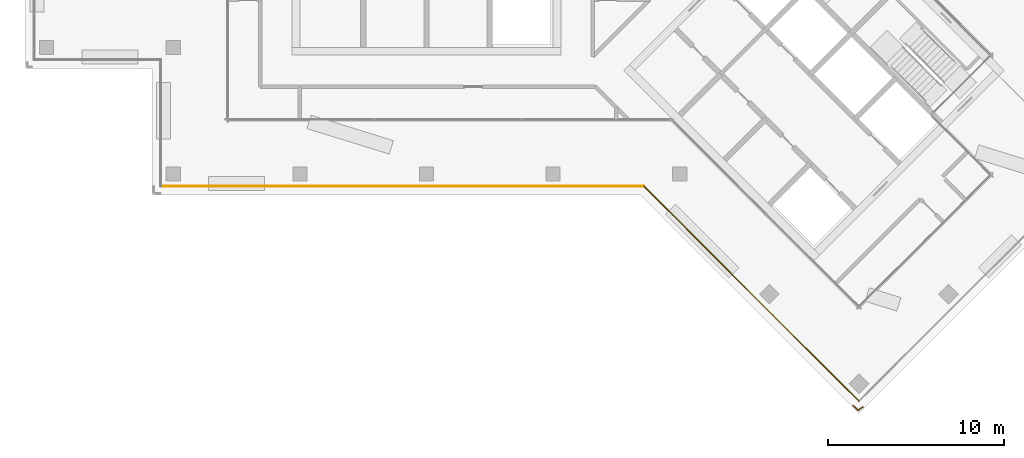
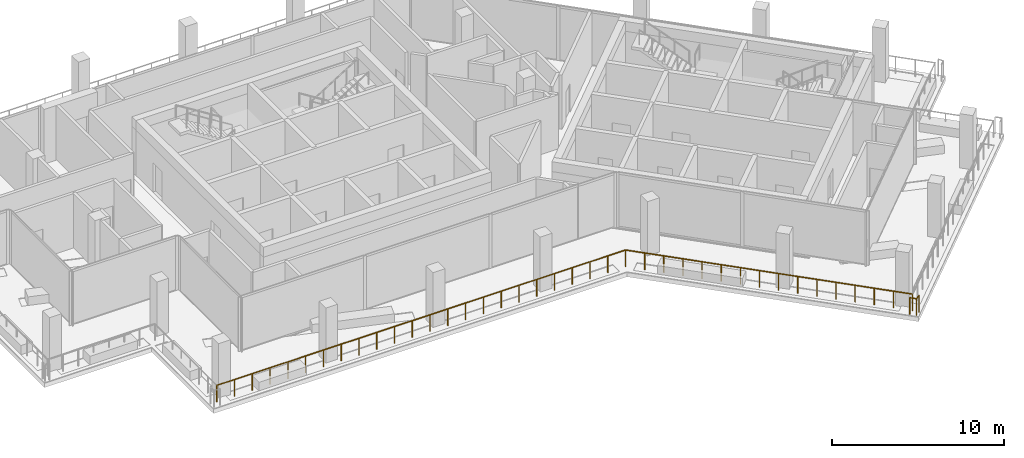
# One storey, part 13 of 20: 4 railings.
"""IFC4 building model written with IfcOpenShell, lengths in metres."""

from ifc_helpers import new_model, si_unit, direction, frame, origin, origin_2d, place, context, subcontext, project, spatial, circle, extrude, material, type_object, element, save


model = new_model("IFC4")

# Units and contexts
model_context = context("Model", 3, precision=1e-05, world=origin(), true_north=direction((0.0, 1.0)))
body_context = subcontext(model_context, "Body", "Model", "MODEL_VIEW")
ifc_project = project(units=[si_unit("LENGTHUNIT", "METRE"), si_unit("AREAUNIT", "SQUARE_METRE"), si_unit("VOLUMEUNIT", "CUBIC_METRE"), si_unit("PLANEANGLEUNIT", "RADIAN"), si_unit("MASSUNIT", "GRAM", prefix="KILO")], contexts=[model_context])

# Site, building, storey
site_placement = place(None, origin())
site = spatial("IfcSite", under=ifc_project, at=site_placement, CompositionType="ELEMENT")
building_placement = place(site_placement, origin())
building = spatial("IfcBuilding", under=site, at=building_placement, Name="Windrow Commons", CompositionType="ELEMENT")
storey_placement = place(building_placement, frame((0.0, 0.0, 239.6)))
storey = spatial("IfcBuildingStorey", under=building, at=storey_placement, Name="L65", CompositionType="ELEMENT", Elevation=239.6)

# Railings
ifc_material = material(Name="Stainless steel S316 balustrade with toughened glass infill", Category="steel")
railing_type = type_object("IfcRailingType", Name="Terrace guard 1200 podium", PredefinedType="BALUSTRADE", material=ifc_material)
railing_1_placement = place(storey_placement, frame((77.163, 42.5, 0.05)))
element("IfcRailing", 1, at=railing_1_placement, inside=storey, type_object=railing_type, Name="Guard TR-L65-1.E1", PredefinedType="BALUSTRADE", context=body_context, shape_type="SweptSolid", body=[
    extrude(circle(Radius=0.025, at=origin_2d()), frame((0.0, 0.0, 1.175), z_axis=(-1.0, 0.0, 0.0), x_axis=(0.0, -1.0, 0.0)), (0.0, 0.0, 1.0), 27.463),
    extrude(circle(Radius=0.02, at=origin_2d()), origin(), (0.0, 0.0, 1.0), 1.15),
    extrude(circle(Radius=0.02, at=origin_2d()), frame((-1.194, 0.0, 0.0)), (0.0, 0.0, 1.0), 1.15),
    extrude(circle(Radius=0.02, at=origin_2d()), frame((-2.3881, 0.0, 0.0)), (0.0, 0.0, 1.0), 1.15),
    extrude(circle(Radius=0.02, at=origin_2d()), frame((-3.5821, 0.0, 0.0)), (0.0, 0.0, 1.0), 1.15),
    extrude(circle(Radius=0.02, at=origin_2d()), frame((-4.7762, 0.0, 0.0)), (0.0, 0.0, 1.0), 1.15),
    extrude(circle(Radius=0.02, at=origin_2d()), frame((-5.9702, 0.0, 0.0)), (0.0, 0.0, 1.0), 1.15),
    extrude(circle(Radius=0.02, at=origin_2d()), frame((-7.1643, 0.0, 0.0)), (0.0, 0.0, 1.0), 1.15),
    extrude(circle(Radius=0.02, at=origin_2d()), frame((-8.3583, 0.0, 0.0)), (0.0, 0.0, 1.0), 1.15),
    extrude(circle(Radius=0.02, at=origin_2d()), frame((-9.5523, 0.0, 0.0)), (0.0, 0.0, 1.0), 1.15),
    extrude(circle(Radius=0.02, at=origin_2d()), frame((-10.7464, 0.0, 0.0)), (0.0, 0.0, 1.0), 1.15),
    extrude(circle(Radius=0.02, at=origin_2d()), frame((-11.9404, 0.0, 0.0)), (0.0, 0.0, 1.0), 1.15),
    extrude(circle(Radius=0.02, at=origin_2d()), frame((-13.1345, 0.0, 0.0)), (0.0, 0.0, 1.0), 1.15),
    extrude(circle(Radius=0.02, at=origin_2d()), frame((-14.3285, 0.0, 0.0)), (0.0, 0.0, 1.0), 1.15),
    extrude(circle(Radius=0.02, at=origin_2d()), frame((-15.5226, 0.0, 0.0)), (0.0, 0.0, 1.0), 1.15),
    extrude(circle(Radius=0.02, at=origin_2d()), frame((-16.7166, 0.0, 0.0)), (0.0, 0.0, 1.0), 1.15),
    extrude(circle(Radius=0.02, at=origin_2d()), frame((-17.9107, 0.0, 0.0)), (0.0, 0.0, 1.0), 1.15),
    extrude(circle(Radius=0.02, at=origin_2d()), frame((-19.1047, 0.0, 0.0)), (0.0, 0.0, 1.0), 1.15),
    extrude(circle(Radius=0.02, at=origin_2d()), frame((-20.2987, 0.0, 0.0)), (0.0, 0.0, 1.0), 1.15),
    extrude(circle(Radius=0.02, at=origin_2d()), frame((-21.4928, 0.0, 0.0)), (0.0, 0.0, 1.0), 1.15),
    extrude(circle(Radius=0.02, at=origin_2d()), frame((-22.6868, 0.0, 0.0)), (0.0, 0.0, 1.0), 1.15),
    extrude(circle(Radius=0.02, at=origin_2d()), frame((-23.8809, 0.0, 0.0)), (0.0, 0.0, 1.0), 1.15),
    extrude(circle(Radius=0.02, at=origin_2d()), frame((-25.0749, 0.0, 0.0)), (0.0, 0.0, 1.0), 1.15),
    extrude(circle(Radius=0.02, at=origin_2d()), frame((-26.269, 0.0, 0.0)), (0.0, 0.0, 1.0), 1.15),
    extrude(circle(Radius=0.02, at=origin_2d()), frame((-27.463, 0.0, 0.0)), (0.0, 0.0, 1.0), 1.15),
])
railing_2_placement = place(storey_placement, frame((89.3823, 30.2807, 0.05)))
element("IfcRailing", 2, at=railing_2_placement, inside=storey, type_object=railing_type, Name="Guard TR-L65-1.E14", PredefinedType="BALUSTRADE", context=body_context, shape_type="SweptSolid", body=[
    extrude(circle(Radius=0.025, at=origin_2d()), frame((0.0, 0.0, 1.175), z_axis=(-0.7071067812, 0.7071067812, 0.0), x_axis=(-0.7071067812, -0.7071067812, 0.0)), (0.0, 0.0, 1.0), 17.2807),
    extrude(circle(Radius=0.02, at=origin_2d()), origin(), (0.0, 0.0, 1.0), 1.15),
    extrude(circle(Radius=0.02, at=origin_2d()), frame((-0.8146, 0.8146, 0.0)), (0.0, 0.0, 1.0), 1.15),
    extrude(circle(Radius=0.02, at=origin_2d()), frame((-1.6292, 1.6292, 0.0)), (0.0, 0.0, 1.0), 1.15),
    extrude(circle(Radius=0.02, at=origin_2d()), frame((-2.4439, 2.4439, 0.0)), (0.0, 0.0, 1.0), 1.15),
    extrude(circle(Radius=0.02, at=origin_2d()), frame((-3.2585, 3.2585, 0.0)), (0.0, 0.0, 1.0), 1.15),
    extrude(circle(Radius=0.02, at=origin_2d()), frame((-4.0731, 4.0731, 0.0)), (0.0, 0.0, 1.0), 1.15),
    extrude(circle(Radius=0.02, at=origin_2d()), frame((-4.8877, 4.8877, 0.0)), (0.0, 0.0, 1.0), 1.15),
    extrude(circle(Radius=0.02, at=origin_2d()), frame((-5.7023, 5.7023, 0.0)), (0.0, 0.0, 1.0), 1.15),
    extrude(circle(Radius=0.02, at=origin_2d()), frame((-6.517, 6.517, 0.0)), (0.0, 0.0, 1.0), 1.15),
    extrude(circle(Radius=0.02, at=origin_2d()), frame((-7.3316, 7.3316, 0.0)), (0.0, 0.0, 1.0), 1.15),
    extrude(circle(Radius=0.02, at=origin_2d()), frame((-8.1462, 8.1462, 0.0)), (0.0, 0.0, 1.0), 1.15),
    extrude(circle(Radius=0.02, at=origin_2d()), frame((-8.9608, 8.9608, 0.0)), (0.0, 0.0, 1.0), 1.15),
    extrude(circle(Radius=0.02, at=origin_2d()), frame((-9.7754, 9.7754, 0.0)), (0.0, 0.0, 1.0), 1.15),
    extrude(circle(Radius=0.02, at=origin_2d()), frame((-10.5901, 10.5901, 0.0)), (0.0, 0.0, 1.0), 1.15),
    extrude(circle(Radius=0.02, at=origin_2d()), frame((-11.4047, 11.4047, 0.0)), (0.0, 0.0, 1.0), 1.15),
    extrude(circle(Radius=0.02, at=origin_2d()), frame((-12.2193, 12.2193, 0.0)), (0.0, 0.0, 1.0), 1.15),
])
railing_3_placement = place(storey_placement, frame((89.6235, 29.9563, 0.05)))
element("IfcRailing", 3, at=railing_3_placement, inside=storey, type_object=railing_type, Name="Guard TR-L65-1.C218", PredefinedType="BALUSTRADE", context=body_context, shape_type="SweptSolid", body=[
    extrude(circle(Radius=0.025, at=origin_2d()), frame((0.0, 0.0, 1.175), z_axis=(-0.8175596819, -0.5758438734, 0.0), x_axis=(0.5758438734, -0.8175596819, 0.0)), (0.0, 0.0, 1.0), 0.3463),
    extrude(circle(Radius=0.02, at=origin_2d()), origin(), (0.0, 0.0, 1.0), 1.15),
    extrude(circle(Radius=0.02, at=origin_2d()), frame((-0.2831, -0.1994, 0.0)), (0.0, 0.0, 1.0), 1.15),
])
railing_4_placement = place(storey_placement, frame((89.3404, 29.7569, 0.05)))
element("IfcRailing", 4, at=railing_4_placement, inside=storey, type_object=railing_type, Name="Guard TR-L65-1.C219", PredefinedType="BALUSTRADE", context=body_context, shape_type="SweptSolid", body=[
    extrude(circle(Radius=0.025, at=origin_2d()), frame((0.0, 0.0, 1.175), z_axis=(-0.7071067812, 0.7071067812, 0.0), x_axis=(-0.7071067812, -0.7071067812, 0.0)), (0.0, 0.0, 1.0), 0.4004),
    extrude(circle(Radius=0.02, at=origin_2d()), origin(), (0.0, 0.0, 1.0), 1.15),
    extrude(circle(Radius=0.02, at=origin_2d()), frame((-0.2831, 0.2831, 0.0)), (0.0, 0.0, 1.0), 1.15),
])

save(model, "model.ifc")
